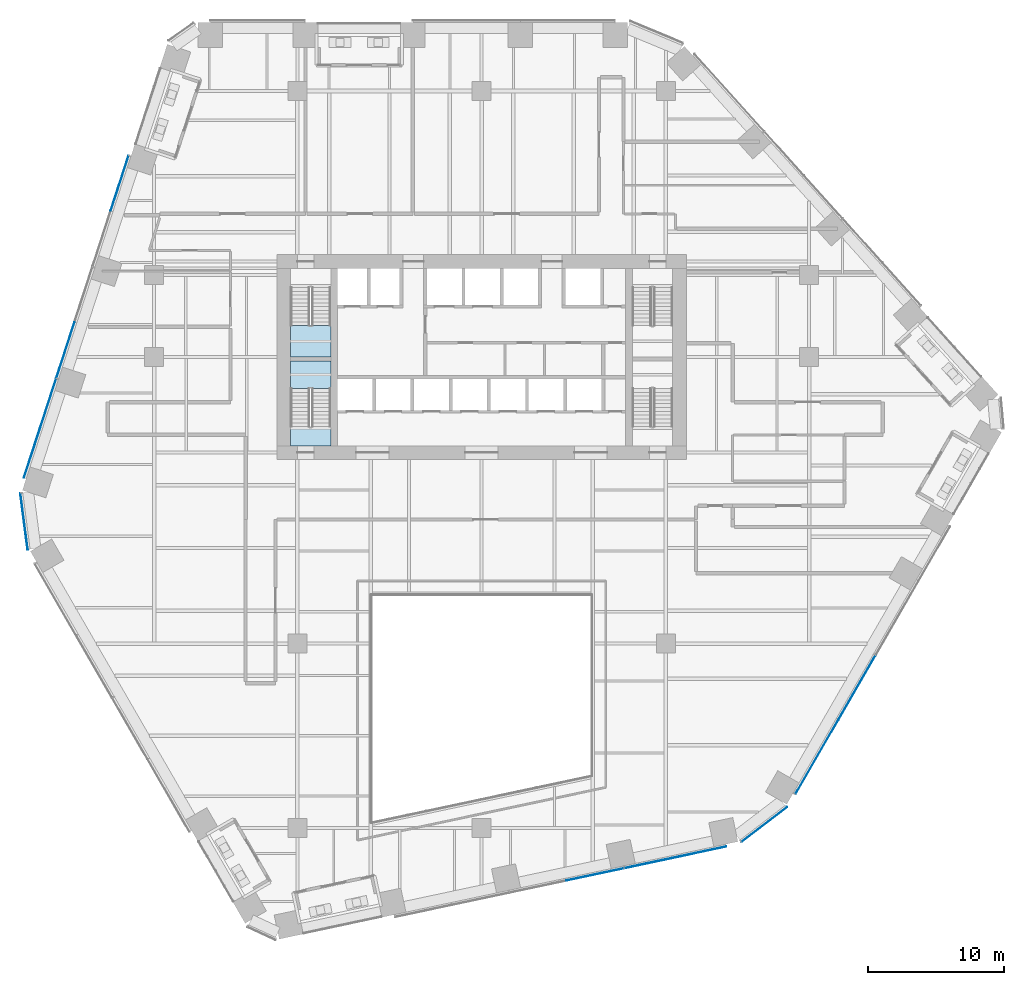
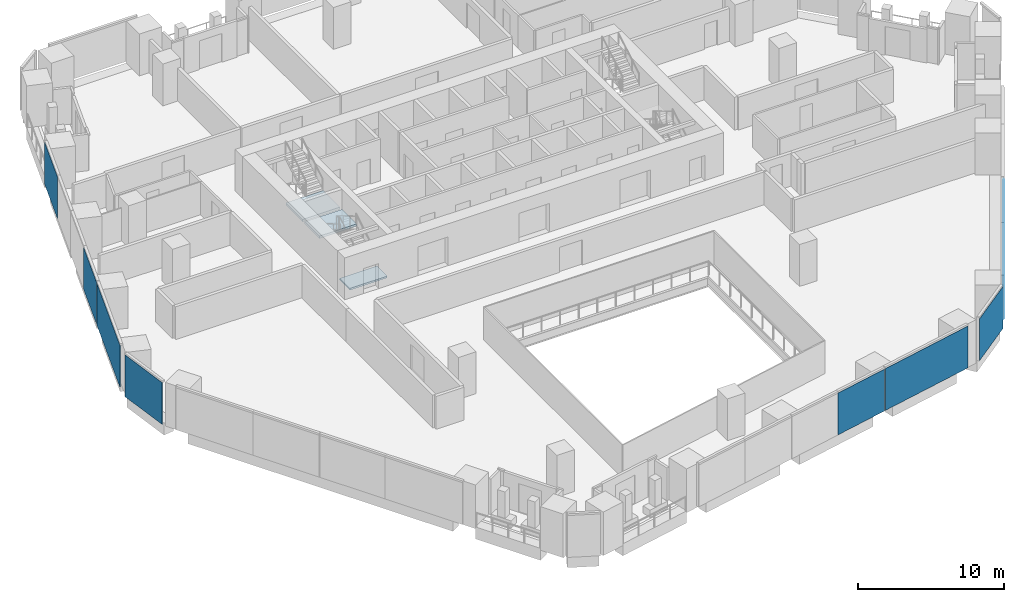
# One storey, part 16 of 28: 9 plates, 3 slabs, 7 elements without a shape of their own.
"""IFC4 building model written with IfcOpenShell, lengths in metres."""

from ifc_helpers import new_model, si_unit, direction, frame, origin, origin_2d, place, context, subcontext, project, spatial, polyline, rectangle, outline, extrude, material, layer, layer_set, type_object, element, aggregate, save


model = new_model("IFC4")

# Units and contexts
model_context = context("Model", 3, precision=1e-05, world=origin(), true_north=direction((0.0, 1.0)))
body_context = subcontext(model_context, "Body", "Model", "MODEL_VIEW")
ifc_project = project(units=[si_unit("LENGTHUNIT", "METRE"), si_unit("AREAUNIT", "SQUARE_METRE"), si_unit("VOLUMEUNIT", "CUBIC_METRE"), si_unit("PLANEANGLEUNIT", "RADIAN"), si_unit("MASSUNIT", "GRAM", prefix="KILO")], contexts=[model_context])

# Site, building, storey
site_placement = place(None, origin())
site = spatial("IfcSite", under=ifc_project, at=site_placement, CompositionType="ELEMENT")
building_placement = place(site_placement, origin())
building = spatial("IfcBuilding", under=site, at=building_placement, Name="Isthmus Gate Tower", CompositionType="ELEMENT")
storey_placement = place(building_placement, frame((0.0, 0.0, 68.85009765625)))
storey = spatial("IfcBuildingStorey", under=building, at=storey_placement, Name="L15", CompositionType="ELEMENT", Elevation=68.85009765625)

# Slab
ifc_material_1 = material(Name="Concrete f'c 40 MPa", Category="concrete")
ifc_layer_1 = layer(ifc_material_1, 0.14990234375)
ifc_layer_set_1 = layer_set([ifc_layer_1], Name="CORE FLOOR SLAB 150")
slab_type_1 = type_object("IfcSlabType", Name="CORE FLOOR SLAB 150", PredefinedType="FLOOR", material=ifc_layer_set_1)
slab_1_placement = place(storey_placement, frame((0.0, 0.0, -0.150146484375)))
element("IfcSlab", 1, at=slab_1_placement, inside=storey, type_object=slab_type_1, Name="L15 core floor", PredefinedType="FLOOR", context=body_context, shape_type="SweptSolid", body=[
    extrude(outline(polyline([(-11.050048828125, 1.0), (-11.050048828125, 2.402099609375), (-14.0, 2.402099609375), (-14.0, 1.0), (-11.050048828125, 1.0)])), origin(), (0.0, 0.0, 1.0), 0.150146484375),
])

# Curtain wall, plates
ifc_material_2 = material(Name="Aluminium, pale champagne anodised", Category="aluminium")
ifc_layer_2 = layer(ifc_material_2, 0.199951171875)
ifc_layer_set_2 = layer_set([ifc_layer_2], Name="CW-1 UNITISED CURTAIN WALL 200 DEEP")
curtain_wall_type = type_object("IfcCurtainWallType", Name="CW-1 UNITISED CURTAIN WALL 200 DEEP", PredefinedType="NOTDEFINED", material=ifc_layer_set_2)
curtain_wall_1_placement = place(storey_placement, origin())
curtain_wall_1 = element("IfcCurtainWall", 2, at=curtain_wall_1_placement, inside=storey, type_object=curtain_wall_type, Name="CW-1 NW L15", PredefinedType="NOTDEFINED")
ifc_material_3 = material(Name="Laminated low-iron glass, pale blue tint", Category="glass")
ifc_layer_3 = layer(ifc_material_3, 0.0400390625)
ifc_layer_set_3 = layer_set([ifc_layer_3], Name="CW-1 CLEAR GLASS LITE 40")
plate_type = type_object("IfcPlateType", Name="CW-1 CLEAR GLASS LITE 40", PredefinedType="CURTAIN_PANEL", material=ifc_layer_set_3)
plate_1_placement = place(storey_placement, frame((-26.52734375, 20.23095703125, 0.0), z_axis=(0.0, 0.0, 1.0), x_axis=(-0.309016994375, -0.951056516295, 0.0)))
plate_1 = element("IfcPlate", 3, at=plate_1_placement, type_object=plate_type, Name="CW-1 glass lite", PredefinedType="CURTAIN_PANEL", context=body_context, shape_type="SweptSolid", body=[
    extrude(rectangle(XDim=4.234619140625, YDim=0.0400390625, at=origin_2d()), origin(), (0.0, 0.0, 1.0), 3.5),
])
plate_2_placement = place(storey_placement, frame((-30.49951171875, 8.005859375, 0.0), z_axis=(0.0, 0.0, 1.0), x_axis=(-0.309016994375, -0.951056516295, 0.0)))
plate_2 = element("IfcPlate", 4, at=plate_2_placement, type_object=plate_type, Name="CW-1 glass lite", PredefinedType="CURTAIN_PANEL", context=body_context, shape_type="SweptSolid", body=[
    extrude(rectangle(XDim=4.294677734375, YDim=0.0400390625, at=origin_2d()), origin(), (0.0, 0.0, 1.0), 3.5),
])
plate_3_placement = place(storey_placement, frame((-32.3603515625, 2.27880859375, 0.0), z_axis=(0.0, 0.0, 1.0), x_axis=(-0.309016994375, -0.951056516295, 0.0)))
plate_3 = element("IfcPlate", 5, at=plate_3_placement, type_object=plate_type, Name="CW-1 glass lite", PredefinedType="CURTAIN_PANEL", context=body_context, shape_type="SweptSolid", body=[
    extrude(rectangle(XDim=7.62939453125, YDim=0.0400390625, at=origin_2d()), origin(), (0.0, 0.0, 1.0), 3.5),
])
aggregate(curtain_wall_1, [plate_1, plate_2, plate_3])

# Curtain wall, plate
curtain_wall_2_placement = place(storey_placement, origin())
curtain_wall_2 = element("IfcCurtainWall", 6, at=curtain_wall_2_placement, inside=storey, type_object=curtain_wall_type, Name="CW-1 NW-SW L15", PredefinedType="NOTDEFINED")
plate_4_placement = place(storey_placement, frame((-33.5283203125, -4.558349609375, 0.0), z_axis=(0.0, 0.0, 1.0), x_axis=(0.129164534, -0.991623175988, 0.0)))
plate_4 = element("IfcPlate", 7, at=plate_4_placement, type_object=plate_type, Name="CW-1 glass lite", PredefinedType="CURTAIN_PANEL", context=body_context, shape_type="SweptSolid", body=[
    extrude(rectangle(XDim=4.181396484375, YDim=0.0400390625, at=origin_2d()), origin(), (0.0, 0.0, 1.0), 3.5),
])
aggregate(curtain_wall_2, [plate_4])

# Curtain wall, plates
curtain_wall_3_placement = place(storey_placement, origin())
curtain_wall_3 = element("IfcCurtainWall", 8, at=curtain_wall_3_placement, inside=storey, type_object=curtain_wall_type, Name="CW-1 S L15", PredefinedType="NOTDEFINED")
plate_5_placement = place(storey_placement, frame((8.31640625, -30.416259765625, 0.0), z_axis=(0.0, 0.0, 1.0), x_axis=(0.978147600734, 0.207911690818, 0.0)))
plate_5 = element("IfcPlate", 9, at=plate_5_placement, type_object=plate_type, Name="CW-1 glass lite", PredefinedType="CURTAIN_PANEL", context=body_context, shape_type="SweptSolid", body=[
    extrude(rectangle(XDim=4.294677734375, YDim=0.0400390625, at=origin_2d()), origin(), (0.0, 0.0, 1.0), 3.5),
])
plate_6_placement = place(storey_placement, frame((14.206787109375, -29.164306640625, 0.0), z_axis=(0.0, 0.0, 1.0), x_axis=(0.978147600734, 0.207911690818, 0.0)))
plate_6 = element("IfcPlate", 10, at=plate_6_placement, type_object=plate_type, Name="CW-1 glass lite", PredefinedType="CURTAIN_PANEL", context=body_context, shape_type="SweptSolid", body=[
    extrude(rectangle(XDim=7.62939453125, YDim=0.0400390625, at=origin_2d()), origin(), (0.0, 0.0, 1.0), 3.5),
])
aggregate(curtain_wall_3, [plate_5, plate_6])

# Curtain wall, plate
curtain_wall_4_placement = place(storey_placement, origin())
curtain_wall_4 = element("IfcCurtainWall", 11, at=curtain_wall_4_placement, inside=storey, type_object=curtain_wall_type, Name="CW-1 S-SE L15", PredefinedType="NOTDEFINED")
plate_7_placement = place(storey_placement, frame((20.711669921875, -26.75732421875, 0.0), z_axis=(0.0, 0.0, 1.0), x_axis=(0.794188594387, 0.607671355706, 0.0)))
plate_7 = element("IfcPlate", 12, at=plate_7_placement, type_object=plate_type, Name="CW-1 glass lite", PredefinedType="CURTAIN_PANEL", context=body_context, shape_type="SweptSolid", body=[
    extrude(rectangle(XDim=4.181396484375, YDim=0.0400390625, at=origin_2d()), origin(), (0.0, 0.0, 1.0), 3.5),
])
aggregate(curtain_wall_4, [plate_7])

# Curtain wall, plates
curtain_wall_5_placement = place(storey_placement, origin())
curtain_wall_5 = element("IfcCurtainWall", 13, at=curtain_wall_5_placement, inside=storey, type_object=curtain_wall_type, Name="CW-1 SE L15", PredefinedType="NOTDEFINED")
plate_8_placement = place(storey_placement, frame((24.5673828125, -21.80810546875, 0.0), z_axis=(0.0, 0.0, 1.0), x_axis=(0.5, 0.866025403784, 0.0)))
plate_8 = element("IfcPlate", 14, at=plate_8_placement, type_object=plate_type, Name="CW-1 glass lite", PredefinedType="CURTAIN_PANEL", context=body_context, shape_type="SweptSolid", body=[
    extrude(rectangle(XDim=6.278564453125, YDim=0.0400390625, at=origin_2d()), origin(), (0.0, 0.0, 1.0), 3.5),
])
plate_9_placement = place(storey_placement, frame((27.49658203125, -16.734375, 0.0), z_axis=(0.0, 0.0, 1.0), x_axis=(0.5, 0.866025403784, 0.0)))
plate_9 = element("IfcPlate", 15, at=plate_9_placement, type_object=plate_type, Name="CW-1 glass lite", PredefinedType="CURTAIN_PANEL", context=body_context, shape_type="SweptSolid", body=[
    extrude(rectangle(XDim=5.4384765625, YDim=0.0400390625, at=origin_2d()), origin(), (0.0, 0.0, 1.0), 3.5),
])
aggregate(curtain_wall_5, [plate_8, plate_9])

# Stair, slab
ifc_material_4 = material(Name="Concrete f'c 40 MPa", Category="concrete")
stair_type = type_object("IfcStairType", Name="CORE STAIR 22 RISERS", PredefinedType="HALF_TURN_STAIR", material=ifc_material_4)
stair_1_placement = place(storey_placement, origin())
stair_1 = element("IfcStair", 16, at=stair_1_placement, inside=storey, type_object=stair_type, Name="L15 Exit Stair 1", PredefinedType="HALF_TURN_STAIR")
ifc_material_5 = material(Name="Concrete f'c 40 MPa", Category="concrete")
ifc_layer_4 = layer(ifc_material_5, 0.199951171875)
ifc_layer_set_4 = layer_set([ifc_layer_4])
slab_type_2 = type_object("IfcSlabType", Name="STAIR LANDING RC 200", PredefinedType="LANDING", material=ifc_layer_set_4)
slab_2_placement = place(storey_placement, frame((0.0, 0.0, 1.625)))
slab_2 = element("IfcSlab", 17, at=slab_2_placement, type_object=slab_type_2, Name="ST1 landing 1", PredefinedType="LANDING", context=body_context, shape_type="SweptSolid", body=[
    extrude(outline(polyline([(-14.0, 9.800048828125), (-14.0, 7.5), (-11.050048828125, 7.5), (-11.050048828125, 9.800048828125), (-14.0, 9.800048828125)])), origin(), (0.0, 0.0, 1.0), 0.199951171875),
])
aggregate(stair_1, [slab_2])

stair_2_placement = place(storey_placement, origin())
stair_2 = element("IfcStair", 18, at=stair_2_placement, inside=storey, type_object=stair_type, Name="L15 Exit Stair 7", PredefinedType="HALF_TURN_STAIR")
slab_3_placement = place(storey_placement, frame((0.0, 0.0, 1.625)))
slab_3 = element("IfcSlab", 19, at=slab_3_placement, type_object=slab_type_2, Name="ST7 landing 1", PredefinedType="LANDING", context=body_context, shape_type="SweptSolid", body=[
    extrude(outline(polyline([(-11.050048828125, 5.199951171875), (-11.050048828125, 7.199951171875), (-14.0, 7.199951171875), (-14.0, 5.199951171875), (-11.050048828125, 5.199951171875)])), origin(), (0.0, 0.0, 1.0), 0.199951171875),
])
aggregate(stair_2, [slab_3])

save(model, "model.ifc")
